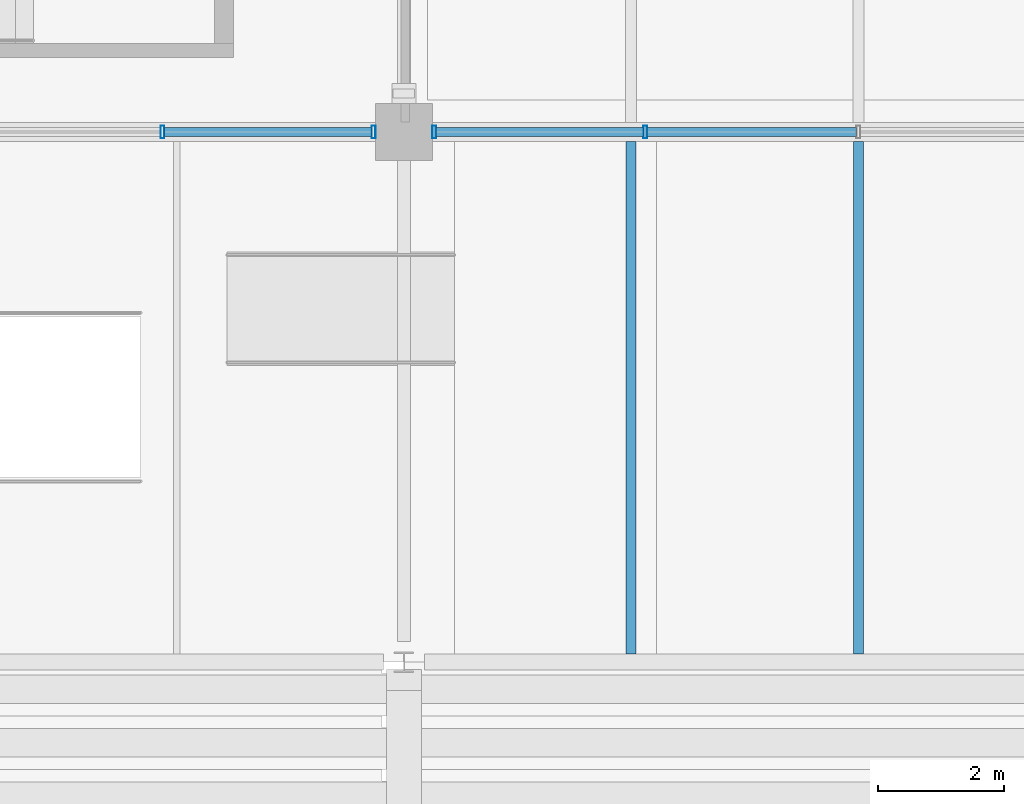
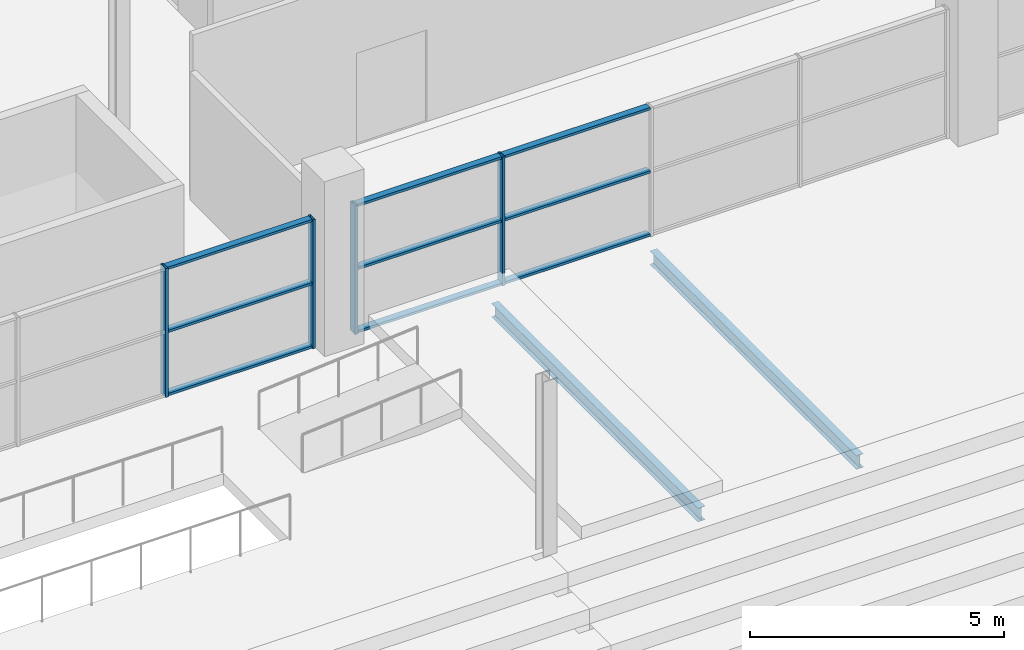
# One storey, part 58 of 161: 13 members, 2 beams, 2 elements without a shape of their own.
"""IFC4 building model written with IfcOpenShell, lengths in metres."""

from ifc_helpers import new_model, si_unit, direction, frame, origin, origin_2d, place, context, subcontext, project, spatial, hollow_rectangle, i_section, extrude, material, material_profile, profile_set, type_object, element, aggregate, save


model = new_model("IFC4")

# Units and contexts
model_context = context("Model", 3, precision=1e-05, world=origin(), true_north=direction((0.0, 1.0)))
body_context = subcontext(model_context, "Body", "Model", "MODEL_VIEW")
ifc_project = project(units=[si_unit("LENGTHUNIT", "METRE"), si_unit("AREAUNIT", "SQUARE_METRE"), si_unit("VOLUMEUNIT", "CUBIC_METRE"), si_unit("PLANEANGLEUNIT", "RADIAN"), si_unit("MASSUNIT", "GRAM", prefix="KILO"), si_unit("THERMODYNAMICTEMPERATUREUNIT", "KELVIN")], contexts=[model_context])

# Site, building, storey
site_placement = place(None, origin())
site = spatial("IfcSite", under=ifc_project, at=site_placement, CompositionType="ELEMENT")
building_placement = place(site_placement, origin())
building = spatial("IfcBuilding", under=site, at=building_placement, Name="Nduvali Passage Aquatics Centre", CompositionType="ELEMENT")
storey_placement = place(building_placement, frame((0.0, 0.0, 4.800048828125)))
storey = spatial("IfcBuildingStorey", under=building, at=storey_placement, Name="L01", CompositionType="ELEMENT", Elevation=4.800048828125)

# Curtain wall, members
ifc_material_1 = material(Name="Aluminium EN AW-6063 T6", Category="aluminium")
curtain_wall_type = type_object("IfcCurtainWallType", Name="ENV-CW-HALL", PredefinedType="NOTDEFINED", material=ifc_material_1)
curtain_wall_1_placement = place(storey_placement, origin())
curtain_wall_1 = element("IfcCurtainWall", 1, at=curtain_wall_1_placement, inside=storey, type_object=curtain_wall_type, Name="L01 North Pool Hall Concourse CW 058", PredefinedType="NOTDEFINED")
ifc_material_profile_1 = material_profile(ifc_material_1, hollow_rectangle(XDim=0.06005859375, YDim=0.199951171875, WallThickness=0.00390625, at=origin_2d()), Name="ALU MULLION 60x200x4")
ifc_profile_set_1 = profile_set([ifc_material_profile_1], Name="Aluminium EN AW-6063 T6")
member_type_1 = type_object("IfcMemberType", Name="ENV-MEM-MUL80", PredefinedType="MULLION", material=ifc_profile_set_1)
member_1_placement = place(storey_placement, frame((50.175048828125, 92.39990234375, 0.0), z_axis=(0.0, 0.0, 1.0), x_axis=(1.0, 0.0, 0.0)))
member_1 = element("IfcMember", 2, at=member_1_placement, type_object=member_type_1, Name="North Pool Hall Concourse CW Mullion 4", PredefinedType="MULLION", context=body_context, shape_type="SweptSolid", body=[
    extrude(hollow_rectangle(XDim=0.06005859375, YDim=0.199951171875, WallThickness=0.00390625, at=origin_2d()), origin(), (0.0, 0.0, 1.0), 3.09521484375),
])
member_2_placement = place(storey_placement, frame((53.52001953125, 92.39990234375, 0.0), z_axis=(0.0, 0.0, 1.0), x_axis=(1.0, 0.0, 0.0)))
member_2 = element("IfcMember", 3, at=member_2_placement, type_object=member_type_1, Name="North Pool Hall Concourse CW Mullion 5", PredefinedType="MULLION", context=body_context, shape_type="SweptSolid", body=[
    extrude(hollow_rectangle(XDim=0.06005859375, YDim=0.199951171875, WallThickness=0.00390625, at=origin_2d()), origin(), (0.0, 0.0, 1.0), 3.09521484375),
])

curtain_wall_2_placement = place(storey_placement, origin())
curtain_wall_2 = element("IfcCurtainWall", 4, at=curtain_wall_2_placement, inside=storey, type_object=curtain_wall_type, Name="L01 North Pool Hall Concourse CW 061", PredefinedType="NOTDEFINED")
member_3_placement = place(storey_placement, frame((54.47998046875, 92.39990234375, 0.0), z_axis=(0.0, 0.0, 1.0), x_axis=(1.0, 0.0, 0.0)))
member_3 = element("IfcMember", 5, at=member_3_placement, type_object=member_type_1, Name="North Pool Hall Concourse CW Mullion 1", PredefinedType="MULLION", context=body_context, shape_type="SweptSolid", body=[
    extrude(hollow_rectangle(XDim=0.06005859375, YDim=0.199951171875, WallThickness=0.00390625, at=origin_2d()), origin(), (0.0, 0.0, 1.0), 3.09521484375),
])
member_4_placement = place(storey_placement, frame((57.824951171875, 92.39990234375, 0.0), z_axis=(0.0, 0.0, 1.0), x_axis=(1.0, 0.0, 0.0)))
member_4 = element("IfcMember", 6, at=member_4_placement, type_object=member_type_1, Name="North Pool Hall Concourse CW Mullion 2", PredefinedType="MULLION", context=body_context, shape_type="SweptSolid", body=[
    extrude(hollow_rectangle(XDim=0.06005859375, YDim=0.199951171875, WallThickness=0.00390625, at=origin_2d()), origin(), (0.0, 0.0, 1.0), 3.09521484375),
])

# Member
ifc_material_profile_2 = material_profile(ifc_material_1, hollow_rectangle(XDim=0.14990234375, YDim=0.06005859375, WallThickness=0.00390625, at=origin_2d()), Name="ALU TRANSOM 150x60x4")
ifc_profile_set_2 = profile_set([ifc_material_profile_2], Name="Aluminium EN AW-6063 T6")
member_type_2 = type_object("IfcMemberType", Name="ENV-MEM-TRN80", PredefinedType="USERDEFINED", material=ifc_profile_set_2)
member_5_placement = place(storey_placement, frame((50.205078125, 92.39990234375, 0.030029296875), z_axis=(1.0, 0.0, 0.0), x_axis=(0.0, 1.0, 0.0)))
member_5 = element("IfcMember", 7, at=member_5_placement, type_object=member_type_2, Name="North Pool Hall Concourse CW Transom B4-R0", ObjectType="TRANSOM", PredefinedType="USERDEFINED", context=body_context, shape_type="SweptSolid", body=[
    extrude(hollow_rectangle(XDim=0.14990234375, YDim=0.06005859375, WallThickness=0.00390625, at=origin_2d()), origin(), (0.0, 0.0, 1.0), 3.284912109375),
])

member_6_placement = place(storey_placement, frame((50.205078125, 92.39990234375, 1.547607421875), z_axis=(1.0, 0.0, 0.0), x_axis=(0.0, 1.0, 0.0)))
member_6 = element("IfcMember", 8, at=member_6_placement, type_object=member_type_2, Name="North Pool Hall Concourse CW Transom B4-R1", ObjectType="TRANSOM", PredefinedType="USERDEFINED", context=body_context, shape_type="SweptSolid", body=[
    extrude(hollow_rectangle(XDim=0.14990234375, YDim=0.06005859375, WallThickness=0.00390625, at=origin_2d()), origin(), (0.0, 0.0, 1.0), 3.284912109375),
])

member_7_placement = place(storey_placement, frame((50.205078125, 92.39990234375, 3.065185546875), z_axis=(1.0, 0.0, 0.0), x_axis=(0.0, 1.0, 0.0)))
member_7 = element("IfcMember", 9, at=member_7_placement, type_object=member_type_2, Name="North Pool Hall Concourse CW Transom B4-R2", ObjectType="TRANSOM", PredefinedType="USERDEFINED", context=body_context, shape_type="SweptSolid", body=[
    extrude(hollow_rectangle(XDim=0.14990234375, YDim=0.06005859375, WallThickness=0.00390625, at=origin_2d()), origin(), (0.0, 0.0, 1.0), 3.284912109375),
])

aggregate(curtain_wall_1, [member_1, member_2, member_5, member_6, member_7])

member_8_placement = place(storey_placement, frame((54.510009765625, 92.39990234375, 0.030029296875), z_axis=(1.0, 0.0, 0.0), x_axis=(0.0, 1.0, 0.0)))
member_8 = element("IfcMember", 10, at=member_8_placement, type_object=member_type_2, Name="North Pool Hall Concourse CW Transom B1-R0", ObjectType="TRANSOM", PredefinedType="USERDEFINED", context=body_context, shape_type="SweptSolid", body=[
    extrude(hollow_rectangle(XDim=0.14990234375, YDim=0.06005859375, WallThickness=0.00390625, at=origin_2d()), origin(), (0.0, 0.0, 1.0), 3.284912109375),
])

member_9_placement = place(storey_placement, frame((54.510009765625, 92.39990234375, 1.547607421875), z_axis=(1.0, 0.0, 0.0), x_axis=(0.0, 1.0, 0.0)))
member_9 = element("IfcMember", 11, at=member_9_placement, type_object=member_type_2, Name="North Pool Hall Concourse CW Transom B1-R1", ObjectType="TRANSOM", PredefinedType="USERDEFINED", context=body_context, shape_type="SweptSolid", body=[
    extrude(hollow_rectangle(XDim=0.14990234375, YDim=0.06005859375, WallThickness=0.00390625, at=origin_2d()), origin(), (0.0, 0.0, 1.0), 3.284912109375),
])

member_10_placement = place(storey_placement, frame((54.510009765625, 92.39990234375, 3.065185546875), z_axis=(1.0, 0.0, 0.0), x_axis=(0.0, 1.0, 0.0)))
member_10 = element("IfcMember", 12, at=member_10_placement, type_object=member_type_2, Name="North Pool Hall Concourse CW Transom B1-R2", ObjectType="TRANSOM", PredefinedType="USERDEFINED", context=body_context, shape_type="SweptSolid", body=[
    extrude(hollow_rectangle(XDim=0.14990234375, YDim=0.06005859375, WallThickness=0.00390625, at=origin_2d()), origin(), (0.0, 0.0, 1.0), 3.284912109375),
])

member_11_placement = place(storey_placement, frame((57.85498046875, 92.39990234375, 0.030029296875), z_axis=(1.0, 0.0, 0.0), x_axis=(0.0, 1.0, 0.0)))
member_11 = element("IfcMember", 13, at=member_11_placement, type_object=member_type_2, Name="North Pool Hall Concourse CW Transom B2-R0", ObjectType="TRANSOM", PredefinedType="USERDEFINED", context=body_context, shape_type="SweptSolid", body=[
    extrude(hollow_rectangle(XDim=0.14990234375, YDim=0.06005859375, WallThickness=0.00390625, at=origin_2d()), origin(), (0.0, 0.0, 1.0), 3.31494140625),
])

member_12_placement = place(storey_placement, frame((57.85498046875, 92.39990234375, 1.547607421875), z_axis=(1.0, 0.0, 0.0), x_axis=(0.0, 1.0, 0.0)))
member_12 = element("IfcMember", 14, at=member_12_placement, type_object=member_type_2, Name="North Pool Hall Concourse CW Transom B2-R1", ObjectType="TRANSOM", PredefinedType="USERDEFINED", context=body_context, shape_type="SweptSolid", body=[
    extrude(hollow_rectangle(XDim=0.14990234375, YDim=0.06005859375, WallThickness=0.00390625, at=origin_2d()), origin(), (0.0, 0.0, 1.0), 3.31494140625),
])

member_13_placement = place(storey_placement, frame((57.85498046875, 92.39990234375, 3.065185546875), z_axis=(1.0, 0.0, 0.0), x_axis=(0.0, 1.0, 0.0)))
member_13 = element("IfcMember", 15, at=member_13_placement, type_object=member_type_2, Name="North Pool Hall Concourse CW Transom B2-R2", ObjectType="TRANSOM", PredefinedType="USERDEFINED", context=body_context, shape_type="SweptSolid", body=[
    extrude(hollow_rectangle(XDim=0.14990234375, YDim=0.06005859375, WallThickness=0.00390625, at=origin_2d()), origin(), (0.0, 0.0, 1.0), 3.31494140625),
])

aggregate(curtain_wall_2, [member_3, member_4, member_8, member_9, member_10, member_11, member_12, member_13])

# Beams
ifc_material_2 = material(Name="Steel S355", Category="steel")
ifc_material_profile_3 = material_profile(ifc_material_2, i_section(OverallWidth=0.159912109375, OverallDepth=0.330078125, WebThickness=0.007568359375, FlangeThickness=0.011474609375, FilletRadius=0.01806640625, at=origin_2d()), Name="IPE 330")
ifc_profile_set_3 = profile_set([ifc_material_profile_3], Name="Steel S355")
beam_type = type_object("IfcBeamType", Name="STR-JST-IPE330", PredefinedType="JOIST", material=ifc_profile_set_3)
for number, where, z_axis, x_axis, name in (
    (16, (57.60009765625, 84.126708984375, -0.448974609375), (0.0, 1.0, 0.0), (-1.0, 0.0, 0.0), "L01 Secondary Joist J6A-0799"),
    (17, (61.199951171875, 84.126708984375, -0.448974609375), (0.0, 1.0, 0.0), (-1.0, 0.0, 0.0), "L01 Secondary Joist J6A-0800"),
):
    element("IfcBeam", number, at=place(storey_placement, frame(where, z_axis=z_axis, x_axis=x_axis)), inside=storey, type_object=beam_type, Name=name, PredefinedType="JOIST", context=body_context, shape_type="SweptSolid", body=[
        extrude(i_section(OverallWidth=0.159912109375, OverallDepth=0.330078125, WebThickness=0.007568359375, FlangeThickness=0.011474609375, FilletRadius=0.01806640625, at=origin_2d()), origin(), (0.0, 0.0, 1.0), 8.121337890625),
    ])

save(model, "model.ifc")
